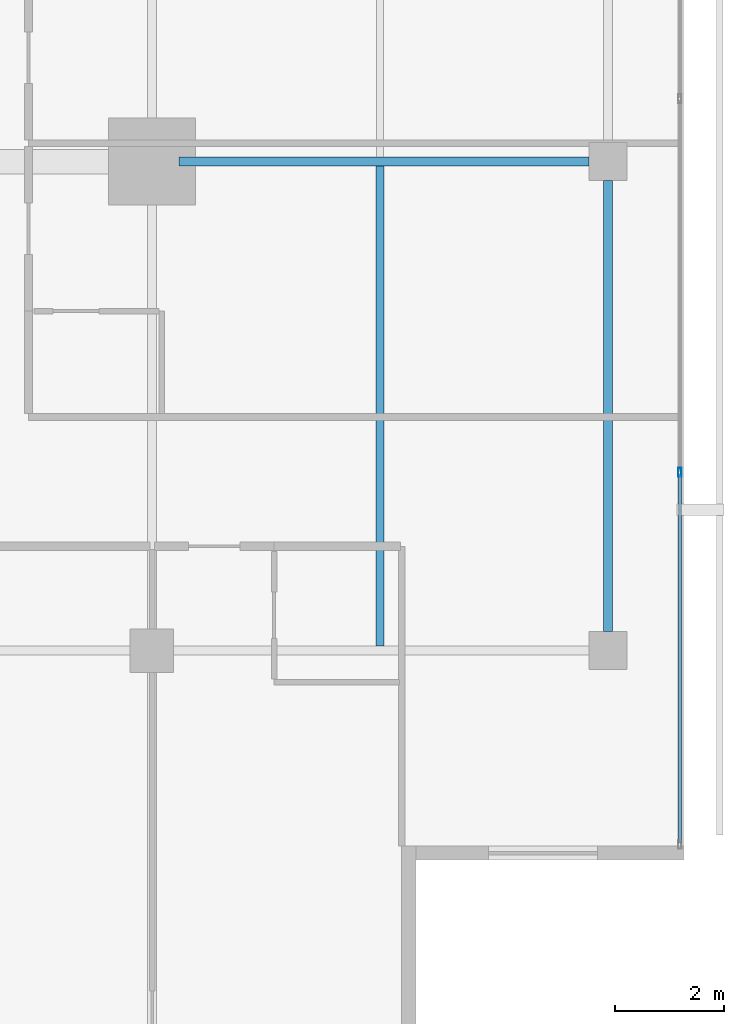
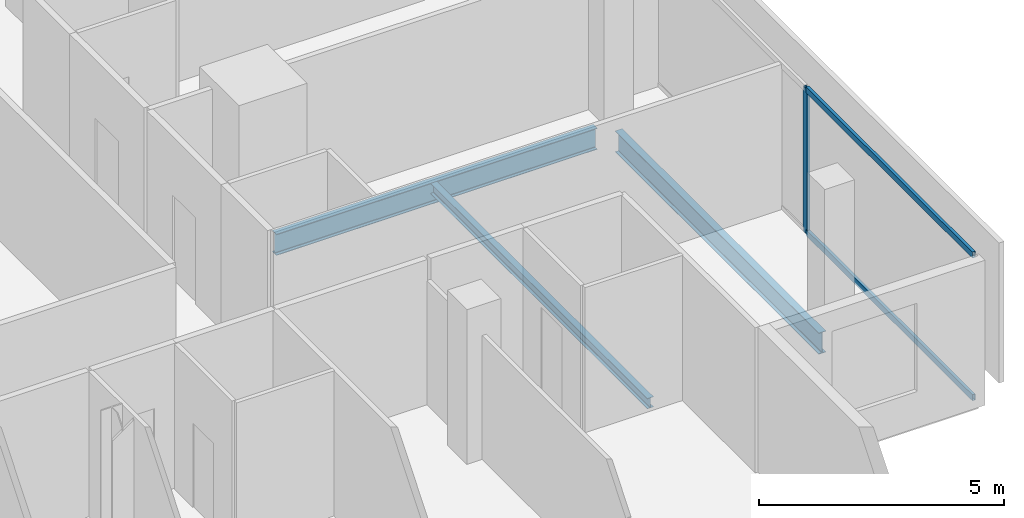
# One storey, part 12 of 26: 3 beams, 3 members, 1 element without a shape of its own.
"""IFC4 building model written with IfcOpenShell, lengths in metres."""

from ifc_helpers import new_model, si_unit, direction, frame, origin, origin_2d, place, context, subcontext, project, spatial, hollow_rectangle, i_section, extrude, material, layer, layer_set, material_profile, profile_set, type_object, element, aggregate, save


model = new_model("IFC4")

# Units and contexts
model_context = context("Model", 3, precision=1e-05, world=origin(), true_north=direction((0.0, 1.0)))
body_context = subcontext(model_context, "Body", "Model", "MODEL_VIEW")
ifc_project = project(units=[si_unit("LENGTHUNIT", "METRE"), si_unit("AREAUNIT", "SQUARE_METRE"), si_unit("VOLUMEUNIT", "CUBIC_METRE"), si_unit("PLANEANGLEUNIT", "RADIAN"), si_unit("MASSUNIT", "GRAM", prefix="KILO")], contexts=[model_context])

# Site, building, storey
site_placement = place(None, origin())
site = spatial("IfcSite", under=ifc_project, at=site_placement, CompositionType="ELEMENT")
building_placement = place(site_placement, origin())
building = spatial("IfcBuilding", under=site, at=building_placement, Name="Maruvema Waterfront Hotel and Observation Tower", CompositionType="ELEMENT")
storey_placement = place(building_placement, frame((0.0, 0.0, 285.60009765625)))
storey = spatial("IfcBuildingStorey", under=building, at=storey_placement, Name="L70", CompositionType="ELEMENT", Elevation=285.60009765625)

# Curtain wall, members
ifc_material_1 = material(Name="Anodised bronze aluminium and solar-control low-E IGU", Category="aluminium")
ifc_layer = layer(ifc_material_1, 0.159912109375, Name="Zone 3 Champagne Inner Thermal Curtain Wall System CW-04")
ifc_layer_set = layer_set([ifc_layer], Name="Anodised bronze aluminium and solar-control low-E IGU")
curtain_wall_type = type_object("IfcCurtainWallType", Name="Zone 3 Champagne Inner Thermal Curtain Wall System CW-04", PredefinedType="USERDEFINED", material=ifc_layer_set)
curtain_wall_placement = place(storey_placement, origin())
curtain_wall = element("IfcCurtainWall", 1, at=curtain_wall_placement, inside=storey, type_object=curtain_wall_type, Name="L70 Curtain Wall CW-L70-E", ObjectType="UNITISED CURTAIN WALL", PredefinedType="USERDEFINED")
ifc_material_2 = material(Name="Anodised architectural bronze aluminium", Category="aluminium")
ifc_material_profile_1 = material_profile(ifc_material_2, hollow_rectangle(XDim=0.070068359375, YDim=0.14990234375, WallThickness=0.00390625, at=origin_2d()), Name="ALU-T70x150")
ifc_profile_set_1 = profile_set([ifc_material_profile_1], Name="Anodised architectural bronze aluminium")
member_type_1 = type_object("IfcMemberType", Name="Curtain Wall Horizontal Transom ALU-T70x150", PredefinedType="USERDEFINED", material=ifc_profile_set_1)
member_1_placement = place(storey_placement, frame((60.1201171875, 14.4599609375, 0.02978515625), z_axis=(0.0, 1.0, 0.0), x_axis=(-1.0, 0.0, 0.0)))
member_1 = element("IfcMember", 2, at=member_1_placement, type_object=member_type_1, Name="CW-04 transom 1.1", ObjectType="TRANSOM", PredefinedType="USERDEFINED", context=body_context, shape_type="SweptSolid", body=[
    extrude(hollow_rectangle(XDim=0.070068359375, YDim=0.14990234375, WallThickness=0.00390625, at=origin_2d()), origin(), (0.0, 0.0, 1.0), 6.7900390625),
])
member_2_placement = place(storey_placement, frame((60.1201171875, 14.4599609375, 3.579833984375), z_axis=(0.0, 1.0, 0.0), x_axis=(-1.0, 0.0, 0.0)))
member_2 = element("IfcMember", 3, at=member_2_placement, type_object=member_type_1, Name="CW-04 transom 1.2", ObjectType="TRANSOM", PredefinedType="USERDEFINED", context=body_context, shape_type="SweptSolid", body=[
    extrude(hollow_rectangle(XDim=0.070068359375, YDim=0.14990234375, WallThickness=0.00390625, at=origin_2d()), origin(), (0.0, 0.0, 1.0), 6.7900390625),
])
ifc_material_3 = material(Name="Anodised architectural bronze aluminium", Category="aluminium")
ifc_material_profile_2 = material_profile(ifc_material_3, hollow_rectangle(XDim=0.06494140625, YDim=0.1650390625, WallThickness=0.00390625, at=origin_2d()), Name="ALU-M65x165")
ifc_profile_set_2 = profile_set([ifc_material_profile_2], Name="Anodised architectural bronze aluminium")
member_type_2 = type_object("IfcMemberType", Name="Curtain Wall Primary Mullion ALU-M65x165", PredefinedType="MULLION", material=ifc_profile_set_2)
member_3_placement = place(storey_placement, frame((60.1201171875, 21.280029296875, 0.0), z_axis=(0.0, 0.0, 1.0), x_axis=(-1.0, 0.0, 0.0)))
member_3 = element("IfcMember", 4, at=member_3_placement, type_object=member_type_2, Name="CW-04 mullion 2", PredefinedType="MULLION", context=body_context, shape_type="SweptSolid", body=[
    extrude(hollow_rectangle(XDim=0.06494140625, YDim=0.1650390625, WallThickness=0.00390625, at=origin_2d()), origin(), (0.0, 0.0, 1.0), 3.60986328125),
])
aggregate(curtain_wall, [member_3, member_1, member_2])

# Beams
ifc_material_4 = material(Name="Steel ASTM A572 Grade 50", Category="steel")
ifc_material_profile_3 = material_profile(ifc_material_4, i_section(OverallWidth=0.166015625, OverallDepth=0.529052734375, WebThickness=0.009765625, FlangeThickness=0.013671875, FilletRadius=0.014892578125, at=origin_2d()), Name="W530x74.0")
ifc_profile_set_3 = profile_set([ifc_material_profile_3], Name="Steel ASTM A572 Grade 50")
beam_type_1 = type_object("IfcBeamType", Name="Primary Floor Girder W530x74.0", PredefinedType="BEAM", material=ifc_profile_set_3)
beam_1_placement = place(storey_placement, frame((50.89990234375, 27.0, -0.504638671875), z_axis=(1.0, 0.0, 0.0), x_axis=(0.0, 1.0, 0.0)))
element("IfcBeam", 5, at=beam_1_placement, inside=storey, type_object=beam_type_1, Name="L70 Floor Girder EW-11", PredefinedType="BEAM", context=body_context, shape_type="SweptSolid", body=[
    extrude(i_section(OverallWidth=0.166015625, OverallDepth=0.529052734375, WebThickness=0.009765625, FlangeThickness=0.013671875, FilletRadius=0.014892578125, at=origin_2d()), origin(), (0.0, 0.0, 1.0), 7.550048828125),
])
beam_2_placement = place(storey_placement, frame((58.800048828125, 18.35009765625, -0.504638671875), z_axis=(0.0, 1.0, 0.0), x_axis=(-1.0, 0.0, 0.0)))
element("IfcBeam", 6, at=beam_2_placement, inside=storey, type_object=beam_type_1, Name="L70 Floor Girder NS-16", PredefinedType="BEAM", context=body_context, shape_type="SweptSolid", body=[
    extrude(i_section(OverallWidth=0.166015625, OverallDepth=0.529052734375, WebThickness=0.009765625, FlangeThickness=0.013671875, FilletRadius=0.014892578125, at=origin_2d()), origin(), (0.0, 0.0, 1.0), 8.2998046875),
])
ifc_material_5 = material(Name="Steel ASTM A572 Grade 50", Category="steel")
ifc_material_profile_4 = material_profile(ifc_material_5, i_section(OverallWidth=0.14599609375, OverallDepth=0.258056640625, WebThickness=0.006103515625, FlangeThickness=0.009033203125, FilletRadius=0.012939453125, at=origin_2d()), Name="W250x32.7")
ifc_profile_set_4 = profile_set([ifc_material_profile_4], Name="Steel ASTM A572 Grade 50")
beam_type_2 = type_object("IfcBeamType", Name="Secondary Floor Joist W250x32.7", PredefinedType="JOIST", material=ifc_profile_set_4)
beam_3_placement = place(storey_placement, frame((54.60009765625, 18.0830078125, -0.369140625), z_axis=(0.0, 1.0, 0.0), x_axis=(-1.0, 0.0, 0.0)))
element("IfcBeam", 7, at=beam_3_placement, inside=storey, type_object=beam_type_2, Name="L70 Secondary Floor Joist JS-07", PredefinedType="JOIST", context=body_context, shape_type="SweptSolid", body=[
    extrude(i_section(OverallWidth=0.14599609375, OverallDepth=0.258056640625, WebThickness=0.006103515625, FlangeThickness=0.009033203125, FilletRadius=0.012939453125, at=origin_2d()), origin(), (0.0, 0.0, 1.0), 8.833984375),
])

save(model, "model.ifc")
